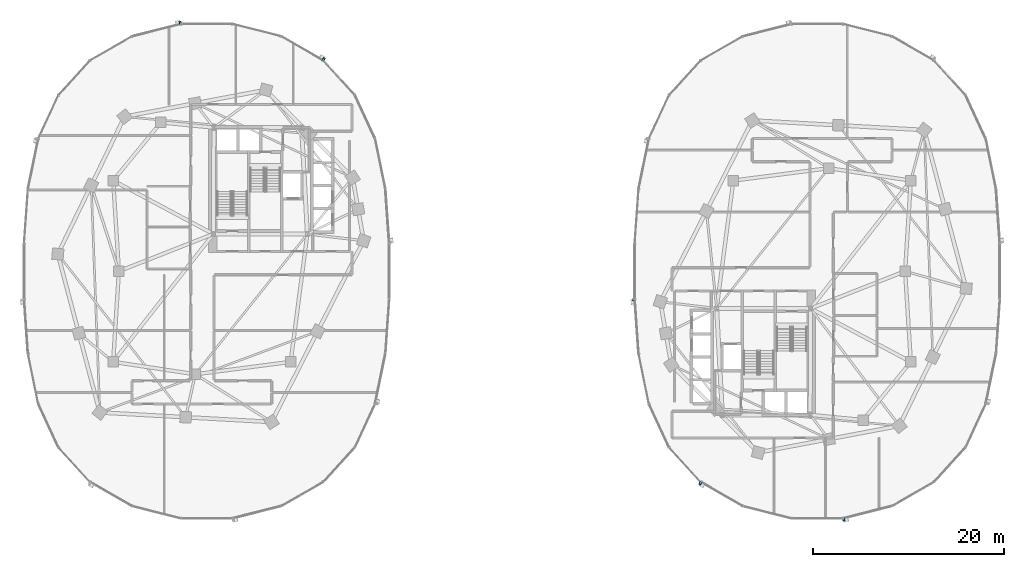
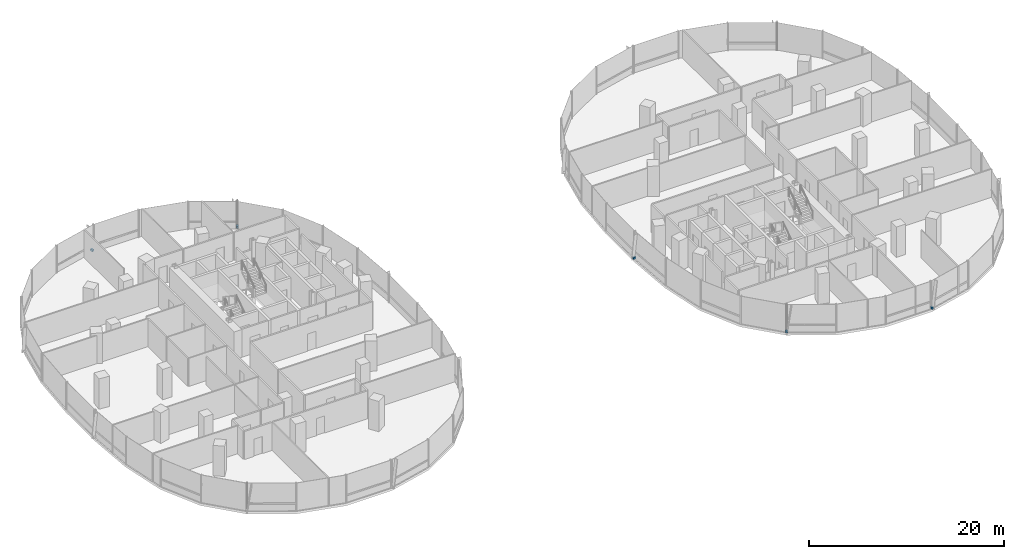
# One storey, part 16 of 22: 5 discrete accessories.
"""IFC4 building model written with IfcOpenShell, lengths in metres."""

from ifc_helpers import new_model, si_unit, direction, frame, origin, origin_2d, place, context, subcontext, project, spatial, rectangle, extrude, material, type_object, element, save


model = new_model("IFC4")

# Units and contexts
model_context = context("Model", 3, precision=1e-05, world=origin(), true_north=direction((0.0, 1.0)))
body_context = subcontext(model_context, "Body", "Model", "MODEL_VIEW")
ifc_project = project(units=[si_unit("LENGTHUNIT", "METRE"), si_unit("AREAUNIT", "SQUARE_METRE"), si_unit("VOLUMEUNIT", "CUBIC_METRE"), si_unit("PLANEANGLEUNIT", "RADIAN"), si_unit("MASSUNIT", "GRAM", prefix="KILO"), si_unit("THERMODYNAMICTEMPERATUREUNIT", "KELVIN"), si_unit("POWERUNIT", "WATT")], contexts=[model_context])

# Site, building, storey
site_placement = place(None, origin())
site = spatial("IfcSite", under=ifc_project, at=site_placement, CompositionType="ELEMENT")
building_placement = place(site_placement, origin())
building = spatial("IfcBuilding", under=site, at=building_placement, Name="Cundina Bronze Exchange", CompositionType="ELEMENT")
storey_placement = place(building_placement, frame((0.0, 0.0, 39.199951171875)))
storey = spatial("IfcBuildingStorey", under=building, at=storey_placement, Name="L09", CompositionType="ELEMENT", Elevation=39.199951171875)

# Discrete accessories
ifc_material = material(Name="Anodised Bronze Aluminium 6063-T6", Category="aluminium")
discrete_accessory_type = type_object("IfcDiscreteAccessoryType", Name="ACC-BRK-FIN", PredefinedType="BRACKET", material=ifc_material)
for number, where, z_axis, x_axis, name in (
    (1, (-19.740478515625, 22.21875, 0.10009765625), (0.0, 0.0, 1.0), (-0.867105478933, 0.498124571171, 0.0), "L09 Fin Support Bracket 5"),
    (2, (-34.76025390625, 26.03173828125, 0.10009765625), (0.0, 0.0, 1.0), (-0.969488149345, -0.245138182011, 0.0), "L09 Fin Support Bracket 1"),
    (3, (12.735595703125, -2.986083984375, 0.10009765625), (0.0, 0.0, 1.0), (0.070278787473, -0.997527389113, 0.0), "L09 Fin Support Bracket 1"),
    (4, (19.740478515625, -22.21875, 0.10009765625), (0.0, 0.0, 1.0), (0.867105478933, -0.498124571171, 0.0), "L09 Fin Support Bracket 5"),
    (5, (34.76025390625, -26.03173828125, 0.10009765625), (0.0, 0.0, 1.0), (0.969488149345, 0.245138182011, 0.0), "L09 Fin Support Bracket 1"),
):
    element("IfcDiscreteAccessory", number, at=place(storey_placement, frame(where, z_axis=z_axis, x_axis=x_axis)), inside=storey, type_object=discrete_accessory_type, Name=name, PredefinedType="BRACKET", context=body_context, shape_type="SweptSolid", body=[
        extrude(rectangle(XDim=0.219970703125, YDim=0.320068359375, at=origin_2d()), origin(), (0.0, 0.0, 1.0), 0.239990234375),
    ])

save(model, "model.ifc")
